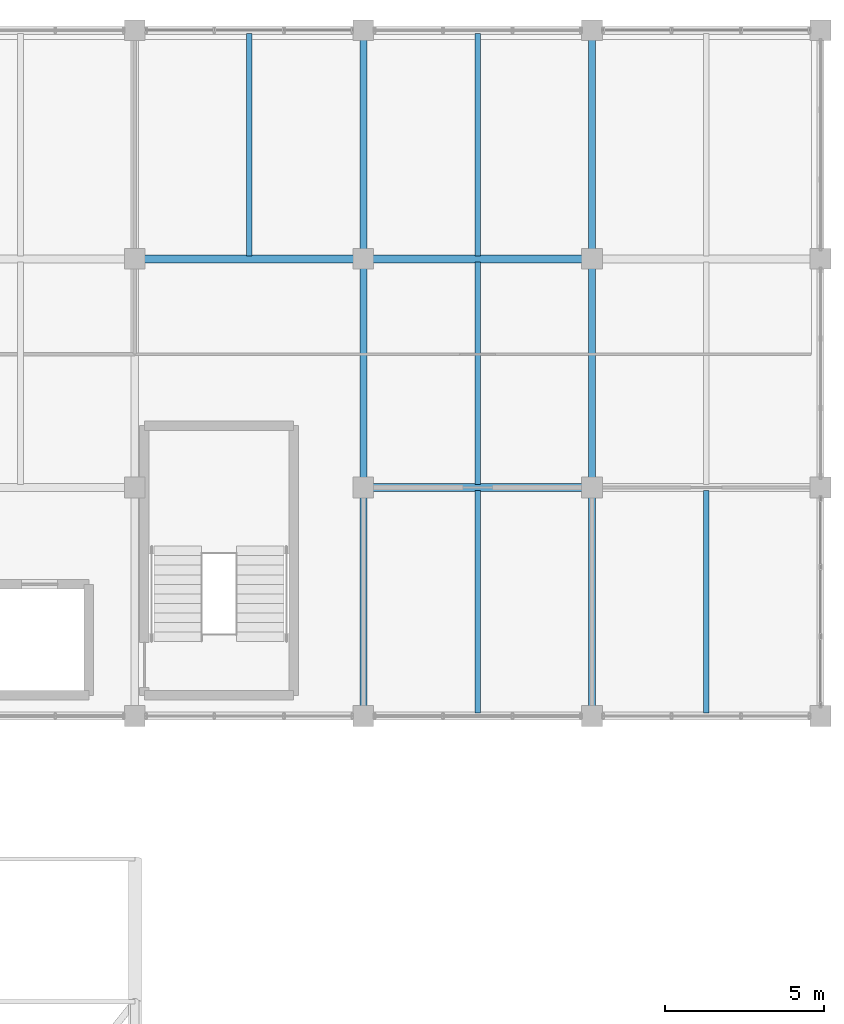
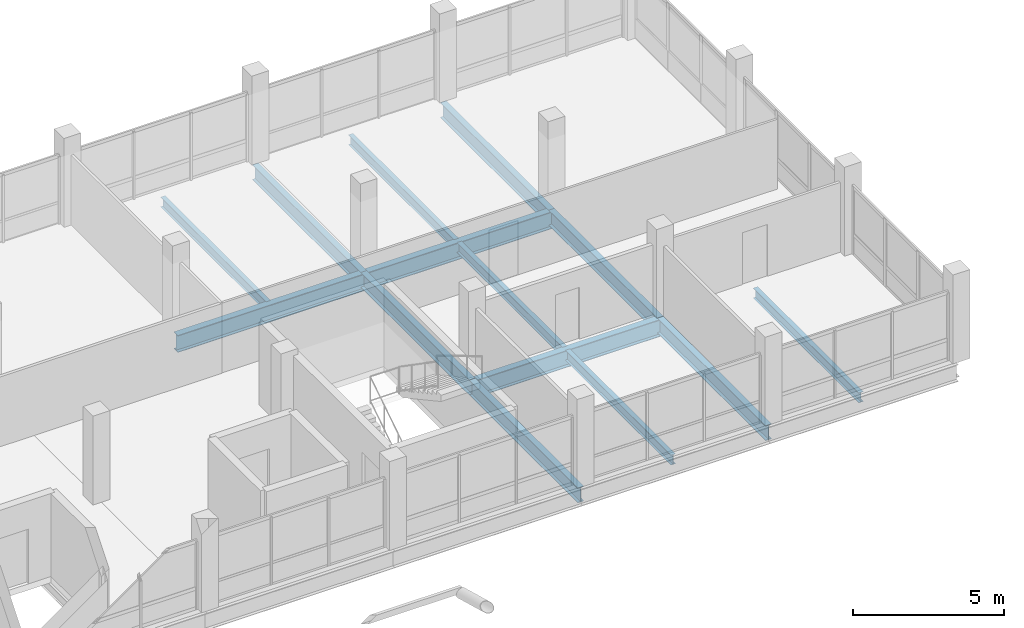
# One storey, part 44 of 96: 14 beams.
"""IFC4 building model written with IfcOpenShell, lengths in metres."""

from ifc_helpers import new_model, si_unit, direction, frame, origin, origin_2d, place, context, subcontext, project, spatial, i_section, extrude, material, material_profile, profile_set, type_object, element, save


model = new_model("IFC4")

# Units and contexts
model_context = context("Model", 3, precision=1e-05, world=origin(), true_north=direction((0.0, 1.0)))
body_context = subcontext(model_context, "Body", "Model", "MODEL_VIEW")
ifc_project = project(units=[si_unit("LENGTHUNIT", "METRE"), si_unit("AREAUNIT", "SQUARE_METRE"), si_unit("VOLUMEUNIT", "CUBIC_METRE"), si_unit("PLANEANGLEUNIT", "RADIAN"), si_unit("MASSUNIT", "GRAM", prefix="KILO")], contexts=[model_context])

# Site, building, storey
site_placement = place(None, origin())
site = spatial("IfcSite", under=ifc_project, at=site_placement, CompositionType="ELEMENT")
building_placement = place(site_placement, origin())
building = spatial("IfcBuilding", under=site, at=building_placement, Name="Yarey Park Central Fire Station", CompositionType="ELEMENT")
storey_placement = place(building_placement, frame((0.0, 0.0, 14.39990234375)))
storey = spatial("IfcBuildingStorey", under=building, at=storey_placement, Name="L04", CompositionType="ELEMENT", Elevation=14.39990234375)

# Beams
ifc_material = material(Name="Steel ASTM A992 Gr. 50", Category="steel")
ifc_material_profile_1 = material_profile(ifc_material, i_section(OverallWidth=0.22900390625, OverallDepth=0.612060546875, WebThickness=0.011962890625, FlangeThickness=0.01953125, at=origin_2d()), Name="W610x125")
ifc_profile_set_1 = profile_set([ifc_material_profile_1], Name="Steel ASTM A992 Gr. 50")
beam_type_1 = type_object("IfcBeamType", Name="STR_BM_W610", PredefinedType="BEAM", material=ifc_profile_set_1)
for number, where, z_axis, x_axis, name in (
    (1, (144.0, 93.60009765625, -0.555908203125), (0.0, 1.0, 0.0), (-1.0, 0.0, 0.0), "BMY L04 X1440 Y936"),
    (2, (144.0, 100.800048828125, -0.555908203125), (0.0, 1.0, 0.0), (-1.0, 0.0, 0.0), "BMY L04 X1440 Y1008"),
    (3, (144.0, 108.0, -0.555908203125), (0.0, 1.0, 0.0), (-1.0, 0.0, 0.0), "BMY L04 X1440 Y1080"),
    (4, (151.199951171875, 93.60009765625, -0.555908203125), (0.0, 1.0, 0.0), (-1.0, 0.0, 0.0), "BMY L04 X1512 Y936"),
    (5, (151.199951171875, 100.800048828125, -0.555908203125), (0.0, 1.0, 0.0), (-1.0, 0.0, 0.0), "BMY L04 X1512 Y1008"),
    (6, (151.199951171875, 108.0, -0.555908203125), (0.0, 1.0, 0.0), (-1.0, 0.0, 0.0), "BMY L04 X1512 Y1080"),
):
    element("IfcBeam", number, at=place(storey_placement, frame(where, z_axis=z_axis, x_axis=x_axis)), inside=storey, type_object=beam_type_1, Name=name, PredefinedType="BEAM", context=body_context, shape_type="SweptSolid", body=[
        extrude(i_section(OverallWidth=0.22900390625, OverallDepth=0.612060546875, WebThickness=0.011962890625, FlangeThickness=0.01953125, at=origin_2d()), origin(), (0.0, 0.0, 1.0), 7.199951171875),
    ])
ifc_material_profile_2 = material_profile(ifc_material, i_section(OverallWidth=0.256103515625, OverallDepth=0.693115234375, WebThickness=0.014404296875, FlangeThickness=0.023681640625, at=origin_2d()), Name="W690x170")
ifc_profile_set_2 = profile_set([ifc_material_profile_2], Name="Steel ASTM A992 Gr. 50")
beam_type_2 = type_object("IfcBeamType", Name="STR_BM_W690", PredefinedType="BEAM", material=ifc_profile_set_2)
for number, where, z_axis, x_axis, name in (
    (7, (144.0, 100.800048828125, -0.596435546875), (1.0, 0.0, 0.0), (0.0, 1.0, 0.0), "BMX L04 Y1008 X1440"),
    (8, (136.800048828125, 108.0, -0.596435546875), (1.0, 0.0, 0.0), (0.0, 1.0, 0.0), "BMX L04 Y1080 X1368"),
    (9, (144.0, 108.0, -0.596435546875), (1.0, 0.0, 0.0), (0.0, 1.0, 0.0), "BMX L04 Y1080 X1440"),
):
    element("IfcBeam", number, at=place(storey_placement, frame(where, z_axis=z_axis, x_axis=x_axis)), inside=storey, type_object=beam_type_2, Name=name, PredefinedType="BEAM", context=body_context, shape_type="SweptSolid", body=[
        extrude(i_section(OverallWidth=0.256103515625, OverallDepth=0.693115234375, WebThickness=0.014404296875, FlangeThickness=0.023681640625, at=origin_2d()), origin(), (0.0, 0.0, 1.0), 7.199951171875),
    ])
ifc_material_profile_3 = material_profile(ifc_material, i_section(OverallWidth=0.177978515625, OverallDepth=0.406982421875, WebThickness=0.0078125, FlangeThickness=0.0126953125, at=origin_2d()), Name="W410x60")
ifc_profile_set_3 = profile_set([ifc_material_profile_3], Name="Steel ASTM A992 Gr. 50")
beam_type_3 = type_object("IfcBeamType", Name="STR_JST_W410", PredefinedType="JOIST", material=ifc_profile_set_3)
for number, where, z_axis, x_axis, name in (
    (10, (140.39990234375, 108.094970703125, -0.453369140625), (0.0, 1.0, 0.0), (-1.0, 0.0, 0.0), "JST L04 X1404 Y1080"),
    (11, (147.60009765625, 93.695068359375, -0.453369140625), (0.0, 1.0, 0.0), (-1.0, 0.0, 0.0), "JST L04 X1476 Y936"),
    (12, (147.60009765625, 100.89501953125, -0.453369140625), (0.0, 1.0, 0.0), (-1.0, 0.0, 0.0), "JST L04 X1476 Y1008"),
    (13, (147.60009765625, 108.094970703125, -0.453369140625), (0.0, 1.0, 0.0), (-1.0, 0.0, 0.0), "JST L04 X1476 Y1080"),
    (14, (154.800048828125, 93.695068359375, -0.453369140625), (0.0, 1.0, 0.0), (-1.0, 0.0, 0.0), "JST L04 X1548 Y936"),
):
    element("IfcBeam", number, at=place(storey_placement, frame(where, z_axis=z_axis, x_axis=x_axis)), inside=storey, type_object=beam_type_3, Name=name, PredefinedType="JOIST", context=body_context, shape_type="SweptSolid", body=[
        extrude(i_section(OverallWidth=0.177978515625, OverallDepth=0.406982421875, WebThickness=0.0078125, FlangeThickness=0.0126953125, at=origin_2d()), origin(), (0.0, 0.0, 1.0), 7.010009765625),
    ])

save(model, "model.ifc")
